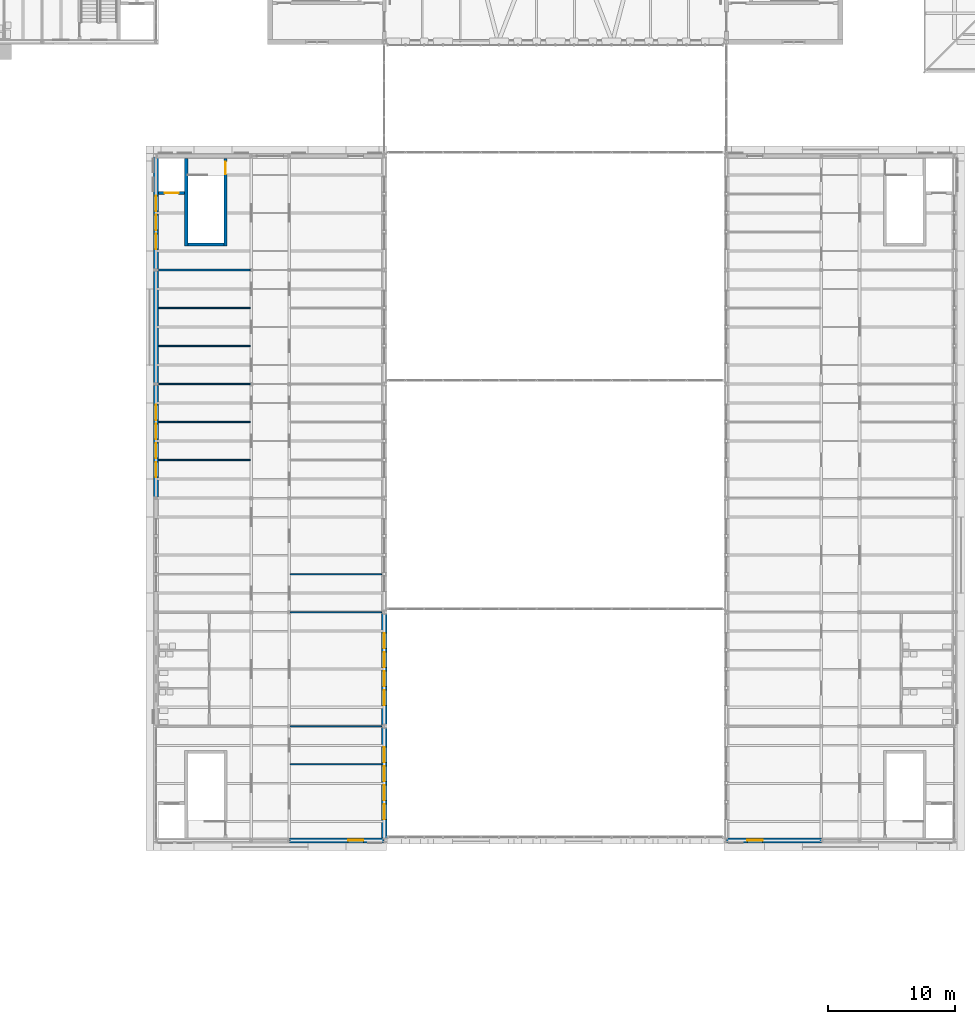
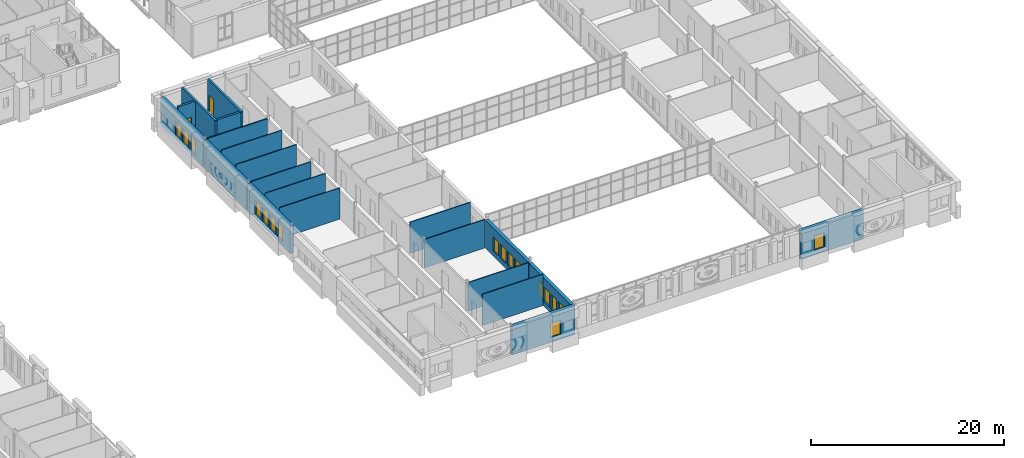
# One storey, part 104 of 154: 21 walls, 17 windows, 2 doors, 19 openings.
"""IFC4 building model written with IfcOpenShell, lengths in metres."""

from ifc_helpers import new_model, si_unit, direction, frame, frame_2d, origin, place, context, subcontext, project, spatial, rectangle, extrude, material, layer, layer_set, type_object, element, fill, save


model = new_model("IFC4")

# Units and contexts
model_context = context("Model", 3, precision=1e-05, world=origin(), true_north=direction((0.0, 1.0)))
body_context = subcontext(model_context, "Body", "Model", "MODEL_VIEW")
ifc_project = project(units=[si_unit("LENGTHUNIT", "METRE"), si_unit("AREAUNIT", "SQUARE_METRE"), si_unit("VOLUMEUNIT", "CUBIC_METRE"), si_unit("PLANEANGLEUNIT", "RADIAN"), si_unit("MASSUNIT", "GRAM", prefix="KILO")], contexts=[model_context])

# Site, building, storey
site_placement = place(None, origin())
site = spatial("IfcSite", under=ifc_project, at=site_placement, CompositionType="ELEMENT")
building_placement = place(site_placement, origin())
building = spatial("IfcBuilding", under=site, at=building_placement, Name="Golden Quay Civic Hall", CompositionType="ELEMENT")
storey_placement = place(building_placement, frame((0.0, 0.0, 14.39990234375)))
storey = spatial("IfcBuildingStorey", under=building, at=storey_placement, Name="L03", CompositionType="ELEMENT", Elevation=14.39990234375)

# Wall
ifc_material_1 = material(Name="Concrete C40/50", Category="concrete")
ifc_layer_1 = layer(ifc_material_1, 0.25)
ifc_layer_set_1 = layer_set([ifc_layer_1], Name="Concrete core wall 250, Concrete C40/50")
wall_type_1 = type_object("IfcWallType", Name="Concrete core wall 250", PredefinedType="SHEAR", material=ifc_layer_set_1)
wall_1_placement = place(storey_placement, frame((56.375, 46.89990234375, 0.0), z_axis=(0.0, 0.0, 1.0), x_axis=(0.0, 1.0, 0.0)))
element("IfcWall", 1, at=wall_1_placement, inside=storey, type_object=wall_type_1, Name="Core wall WM-N-W1", PredefinedType="SHEAR", context=body_context, shape_type="SweptSolid", body=[
    extrude(rectangle(XDim=6.900146484375, YDim=0.25, at=frame_2d((3.4501953125, 0.0))), origin(), (0.0, 0.0, 1.0), 3.9501953125),
])

# Wall, opening, door
wall_2_placement = place(storey_placement, frame((59.47509765625, 46.89990234375, 0.0), z_axis=(0.0, 0.0, 1.0), x_axis=(0.0, 1.0, 0.0)))
wall_2 = element("IfcWall", 2, at=wall_2_placement, inside=storey, type_object=wall_type_1, Name="Core wall WM-N-W2", PredefinedType="SHEAR", context=body_context, shape_type="SweptSolid", body=[
    extrude(rectangle(XDim=6.900146484375, YDim=0.25, at=frame_2d((3.4501953125, 0.0))), origin(), (0.0, 0.0, 1.0), 3.9501953125),
])
opening_1_placement = place(wall_2_placement, frame((5.64990234375, 0.0, 0.0)))
opening_1 = element("IfcOpeningElement", 3, at=opening_1_placement, cuts=wall_2, Name="Opening L03-D099", PredefinedType="OPENING", context=body_context, shape_type="SweptSolid", body=[
    extrude(rectangle(XDim=1.0, YDim=2.10009765625, at=frame_2d((0.5, 1.050048828125))), frame((0.0, 0.135009765625, 0.0), z_axis=(0.0, -1.0, 0.0), x_axis=(1.0, 0.0, 0.0)), (0.0, 0.0, 1.0), 0.27001953125),
])
ifc_material_2 = material(Name="Steel", Category="steel")
door_type_1 = type_object("IfcDoorType", Name="Steel fire door FD60 1000 x 2100", OperationType="SINGLE_SWING_LEFT", PredefinedType="DOOR", material=ifc_material_2)
door_1_placement = place(opening_1_placement, origin())
door_1 = element("IfcDoor", 4, at=door_1_placement, inside=storey, type_object=door_type_1, Name="Door L03-D099", OperationType="SINGLE_SWING_LEFT", OverallHeight=2.10009765625, OverallWidth=1.0, PredefinedType="DOOR", context=body_context, shape_type="SweptSolid", body=[
    extrude(rectangle(XDim=1.0, YDim=2.10009765625, at=frame_2d((0.5, 1.050048828125))), frame((0.0, 0.02490234375, 0.0), z_axis=(0.0, -1.0, 0.0), x_axis=(1.0, 0.0, 0.0)), (0.0, 0.0, 1.0), 0.050048828125),
])
fill(opening_1, door_1)

# Wall
wall_3_placement = place(storey_placement, frame((56.5, 47.02490234375, 0.0), z_axis=(0.0, 0.0, 1.0), x_axis=(1.0, 0.0, 0.0)))
element("IfcWall", 5, at=wall_3_placement, inside=storey, type_object=wall_type_1, Name="Core wall WM-N-W3", PredefinedType="SHEAR", context=body_context, shape_type="SweptSolid", body=[
    extrude(rectangle(XDim=2.85009765625, YDim=0.25, at=frame_2d((1.425048828125, 0.0))), origin(), (0.0, 0.0, 1.0), 3.9501953125),
])

# Wall, opening, door
wall_4_placement = place(storey_placement, frame((54.199951171875, 51.074951171875, 0.0), z_axis=(0.0, 0.0, 1.0), x_axis=(1.0, 0.0, 0.0)))
wall_4 = element("IfcWall", 6, at=wall_4_placement, inside=storey, type_object=wall_type_1, Name="Core wall WM-N-W4", PredefinedType="SHEAR", context=body_context, shape_type="SweptSolid", body=[
    extrude(rectangle(XDim=2.050048828125, YDim=0.25, at=frame_2d((1.02490234375, 0.0))), origin(), (0.0, 0.0, 1.0), 3.9501953125),
])
opening_2_placement = place(wall_4_placement, frame((0.47509765625, 0.0, 0.0)))
opening_2 = element("IfcOpeningElement", 7, at=opening_2_placement, cuts=wall_4, Name="Opening L03-D102", PredefinedType="OPENING", context=body_context, shape_type="SweptSolid", body=[
    extrude(rectangle(XDim=1.10009765625, YDim=2.10009765625, at=frame_2d((0.550048828125, 1.050048828125))), frame((0.0, 0.135009765625, 0.0), z_axis=(0.0, -1.0, 0.0), x_axis=(1.0, 0.0, 0.0)), (0.0, 0.0, 1.0), 0.27001953125),
])
ifc_material_3 = material(Name="Steel", Category="steel")
door_type_2 = type_object("IfcDoorType", Name="Lift landing door 1100 x 2100", OperationType="SLIDING_TO_LEFT", PredefinedType="DOOR", material=ifc_material_3)
door_2_placement = place(opening_2_placement, origin())
door_2 = element("IfcDoor", 8, at=door_2_placement, inside=storey, type_object=door_type_2, Name="Lift landing door L03-D102 WM-N", OperationType="SLIDING_TO_LEFT", OverallHeight=2.10009765625, OverallWidth=1.10009765625, PredefinedType="DOOR", context=body_context, shape_type="SweptSolid", body=[
    extrude(rectangle(XDim=1.10009765625, YDim=2.10009765625, at=frame_2d((0.550048828125, 1.050048828125))), frame((0.0, 0.02490234375, 0.0), z_axis=(0.0, -1.0, 0.0), x_axis=(1.0, 0.0, 0.0)), (0.0, 0.0, 1.0), 0.050048828125),
])
fill(opening_2, door_2)

# Walls
ifc_material_4 = material(Name="Plasterboard on steel studs", Category="steel")
ifc_layer_2 = layer(ifc_material_4, 0.10009765625)
ifc_layer_set_2 = layer_set([ifc_layer_2], Name="Partition 100 stud")
wall_type_2 = type_object("IfcWallType", Name="Partition 100 stud", PredefinedType="PARTITIONING", material=ifc_layer_set_2)
for number, where, z_axis, x_axis, name in (
    (9, (54.199951171875, 30.0, 0.0), (0.0, 0.0, 1.0), (1.0, 0.0, 0.0), "Partition L03-002"),
    (10, (54.199951171875, 33.0, 0.0), (0.0, 0.0, 1.0), (1.0, 0.0, 0.0), "Partition L03-003"),
):
    element("IfcWall", number, at=place(storey_placement, frame(where, z_axis=z_axis, x_axis=x_axis)), inside=storey, type_object=wall_type_2, Name=name, PredefinedType="PARTITIONING", context=body_context, shape_type="SweptSolid", body=[
        extrude(rectangle(XDim=7.22509765625, YDim=0.10009765625, at=frame_2d((3.612548828125, 0.0))), origin(), (0.0, 0.0, 1.0), 3.9501953125),
    ])
wall_5_placement = place(storey_placement, frame((54.199951171875, 36.0, 0.0), z_axis=(0.0, 0.0, 1.0), x_axis=(1.0, 0.0, 0.0)))
element("IfcWall", 11, at=wall_5_placement, inside=storey, type_object=wall_type_2, Name="Partition L03-004", PredefinedType="PARTITIONING", context=body_context, shape_type="SweptSolid", body=[
    extrude(rectangle(XDim=7.22509765625, YDim=0.10009765625, at=frame_2d((3.612548828125, 0.0))), origin(), (0.0, 0.0, 1.0), 3.60009765625),
])
for number, where, z_axis, x_axis, name in (
    (12, (54.199951171875, 39.0, 0.0), (0.0, 0.0, 1.0), (1.0, 0.0, 0.0), "Partition L03-005"),
    (13, (54.199951171875, 42.0, 0.0), (0.0, 0.0, 1.0), (1.0, 0.0, 0.0), "Partition L03-006"),
    (14, (64.574951171875, 6.0, 0.0), (0.0, 0.0, 1.0), (1.0, 0.0, 0.0), "Partition L03-008"),
):
    element("IfcWall", number, at=place(storey_placement, frame(where, z_axis=z_axis, x_axis=x_axis)), inside=storey, type_object=wall_type_2, Name=name, PredefinedType="PARTITIONING", context=body_context, shape_type="SweptSolid", body=[
        extrude(rectangle(XDim=7.22509765625, YDim=0.10009765625, at=frame_2d((3.612548828125, 0.0))), origin(), (0.0, 0.0, 1.0), 3.9501953125),
    ])
for number, where, z_axis, x_axis, name in (
    (15, (64.574951171875, 9.0, 0.0), (0.0, 0.0, 1.0), (1.0, 0.0, 0.0), "Partition L03-009"),
    (16, (64.574951171875, 18.0, 0.0), (0.0, 0.0, 1.0), (1.0, 0.0, 0.0), "Partition L03-010"),
):
    element("IfcWall", number, at=place(storey_placement, frame(where, z_axis=z_axis, x_axis=x_axis)), inside=storey, type_object=wall_type_2, Name=name, PredefinedType="PARTITIONING", context=body_context, shape_type="SweptSolid", body=[
        extrude(rectangle(XDim=7.22509765625, YDim=0.10009765625, at=frame_2d((3.612548828125, 0.0))), origin(), (0.0, 0.0, 1.0), 3.60009765625),
    ])
wall_6_placement = place(storey_placement, frame((64.574951171875, 21.0, 0.0), z_axis=(0.0, 0.0, 1.0), x_axis=(1.0, 0.0, 0.0)))
element("IfcWall", 17, at=wall_6_placement, inside=storey, type_object=wall_type_2, Name="Partition L03-011", PredefinedType="PARTITIONING", context=body_context, shape_type="SweptSolid", body=[
    extrude(rectangle(XDim=7.22509765625, YDim=0.10009765625, at=frame_2d((3.612548828125, 0.0))), origin(), (0.0, 0.0, 1.0), 3.9501953125),
])
ifc_material_5 = material(Name="Plasterboard on steel studs", Category="steel")
ifc_layer_3 = layer(ifc_material_5, 0.14990234375)
ifc_layer_set_3 = layer_set([ifc_layer_3], Name="Partition 150 stud fire EI 60")
wall_type_3 = type_object("IfcWallType", Name="Partition 150 stud fire EI 60", PredefinedType="PARTITIONING", material=ifc_layer_set_3)
wall_7_placement = place(storey_placement, frame((54.199951171875, 45.0, 0.0), z_axis=(0.0, 0.0, 1.0), x_axis=(1.0, 0.0, 0.0)))
element("IfcWall", 18, at=wall_7_placement, inside=storey, type_object=wall_type_3, Name="Partition L03-007", PredefinedType="PARTITIONING", context=body_context, shape_type="SweptSolid", body=[
    extrude(rectangle(XDim=7.22509765625, YDim=0.14990234375, at=frame_2d((3.612548828125, 0.0))), origin(), (0.0, 0.0, 1.0), 3.60009765625),
])

# Wall, openings, windows
ifc_material_6 = material(Name="Clay block, rendered, cream")
ifc_layer_4 = layer(ifc_material_6, 0.39990234375)
ifc_layer_set_4 = layer_set([ifc_layer_4], Name="Rendered block external wall 400")
wall_type_4 = type_object("IfcWallType", Name="Rendered block external wall 400", PredefinedType="STANDARD", material=ifc_layer_set_4)
wall_8_placement = place(storey_placement, frame((54.0, 27.094970703125, 0.0), z_axis=(0.0, 0.0, 1.0), x_axis=(0.0, 1.0, 0.0)))
wall_8 = element("IfcWall", 19, at=wall_8_placement, inside=storey, type_object=wall_type_4, Name="Rendered block external wall 400 L03 23", PredefinedType="STANDARD", context=body_context, shape_type="SweptSolid", body=[
    extrude(rectangle(XDim=8.81005859375, YDim=0.39990234375, at=frame_2d((4.405029296875, 0.0))), origin(), (0.0, 0.0, 1.0), 3.550048828125),
])
opening_3_placement = place(wall_8_placement, frame((1.554931640625, 0.0, 0.60009765625)))
opening_3 = element("IfcOpeningElement", 20, at=opening_3_placement, cuts=wall_8, Name="Opening WN10", PredefinedType="OPENING", context=body_context, shape_type="SweptSolid", body=[
    extrude(rectangle(XDim=1.199951171875, YDim=1.800048828125, at=frame_2d((0.60009765625, 0.89990234375))), frame((0.0, 0.2099609375, 0.0), z_axis=(0.0, -1.0, 0.0), x_axis=(1.0, 0.0, 0.0)), (0.0, 0.0, 1.0), 0.419921875),
])
opening_4_placement = place(wall_8_placement, frame((3.054931640625, 0.0, 0.60009765625)))
opening_4 = element("IfcOpeningElement", 21, at=opening_4_placement, cuts=wall_8, Name="Opening WN10", PredefinedType="OPENING", context=body_context, shape_type="SweptSolid", body=[
    extrude(rectangle(XDim=1.199951171875, YDim=1.800048828125, at=frame_2d((0.60009765625, 0.89990234375))), frame((0.0, 0.2099609375, 0.0), z_axis=(0.0, -1.0, 0.0), x_axis=(1.0, 0.0, 0.0)), (0.0, 0.0, 1.0), 0.419921875),
])
opening_5_placement = place(wall_8_placement, frame((4.554931640625, 0.0, 0.60009765625)))
opening_5 = element("IfcOpeningElement", 22, at=opening_5_placement, cuts=wall_8, Name="Opening WN10", PredefinedType="OPENING", context=body_context, shape_type="SweptSolid", body=[
    extrude(rectangle(XDim=1.199951171875, YDim=1.800048828125, at=frame_2d((0.60009765625, 0.89990234375))), frame((0.0, 0.2099609375, 0.0), z_axis=(0.0, -1.0, 0.0), x_axis=(1.0, 0.0, 0.0)), (0.0, 0.0, 1.0), 0.419921875),
])
opening_6_placement = place(wall_8_placement, frame((6.054931640625, 0.0, 0.60009765625)))
opening_6 = element("IfcOpeningElement", 23, at=opening_6_placement, cuts=wall_8, Name="Opening WN10", PredefinedType="OPENING", context=body_context, shape_type="SweptSolid", body=[
    extrude(rectangle(XDim=1.199951171875, YDim=1.800048828125, at=frame_2d((0.60009765625, 0.89990234375))), frame((0.0, 0.2099609375, 0.0), z_axis=(0.0, -1.0, 0.0), x_axis=(1.0, 0.0, 0.0)), (0.0, 0.0, 1.0), 0.419921875),
])
ifc_material_7 = material(Name="Aluminium frame, double glazed", Category="aluminium")
window_type = type_object("IfcWindowType", Name="Golden grid window 1200 x 1800", PartitioningType="SINGLE_PANEL", PredefinedType="WINDOW", material=ifc_material_7)
window_1_placement = place(opening_3_placement, origin())
window_1 = element("IfcWindow", 24, at=window_1_placement, inside=storey, type_object=window_type, Name="Golden grid window 1200 x 1800 L03 5", OverallHeight=1.800048828125, OverallWidth=1.199951171875, PartitioningType="SINGLE_PANEL", PredefinedType="WINDOW", context=body_context, shape_type="SweptSolid", body=[
    extrude(rectangle(XDim=1.199951171875, YDim=1.800048828125, at=frame_2d((0.60009765625, 0.89990234375))), frame((0.0, 0.030029296875, 0.0), z_axis=(0.0, -1.0, 0.0), x_axis=(1.0, 0.0, 0.0)), (0.0, 0.0, 1.0), 0.06005859375),
])
fill(opening_3, window_1)
window_2_placement = place(opening_4_placement, origin())
window_2 = element("IfcWindow", 25, at=window_2_placement, inside=storey, type_object=window_type, Name="Golden grid window 1200 x 1800 L03 6", OverallHeight=1.800048828125, OverallWidth=1.199951171875, PartitioningType="SINGLE_PANEL", PredefinedType="WINDOW", context=body_context, shape_type="SweptSolid", body=[
    extrude(rectangle(XDim=1.199951171875, YDim=1.800048828125, at=frame_2d((0.60009765625, 0.89990234375))), frame((0.0, 0.030029296875, 0.0), z_axis=(0.0, -1.0, 0.0), x_axis=(1.0, 0.0, 0.0)), (0.0, 0.0, 1.0), 0.06005859375),
])
fill(opening_4, window_2)
window_3_placement = place(opening_5_placement, origin())
window_3 = element("IfcWindow", 26, at=window_3_placement, inside=storey, type_object=window_type, Name="Golden grid window 1200 x 1800 L03 7", OverallHeight=1.800048828125, OverallWidth=1.199951171875, PartitioningType="SINGLE_PANEL", PredefinedType="WINDOW", context=body_context, shape_type="SweptSolid", body=[
    extrude(rectangle(XDim=1.199951171875, YDim=1.800048828125, at=frame_2d((0.60009765625, 0.89990234375))), frame((0.0, 0.030029296875, 0.0), z_axis=(0.0, -1.0, 0.0), x_axis=(1.0, 0.0, 0.0)), (0.0, 0.0, 1.0), 0.06005859375),
])
fill(opening_5, window_3)
window_4_placement = place(opening_6_placement, origin())
window_4 = element("IfcWindow", 27, at=window_4_placement, inside=storey, type_object=window_type, Name="Golden grid window 1200 x 1800 L03 8", OverallHeight=1.800048828125, OverallWidth=1.199951171875, PartitioningType="SINGLE_PANEL", PredefinedType="WINDOW", context=body_context, shape_type="SweptSolid", body=[
    extrude(rectangle(XDim=1.199951171875, YDim=1.800048828125, at=frame_2d((0.60009765625, 0.89990234375))), frame((0.0, 0.030029296875, 0.0), z_axis=(0.0, -1.0, 0.0), x_axis=(1.0, 0.0, 0.0)), (0.0, 0.0, 1.0), 0.06005859375),
])
fill(opening_6, window_4)

# Wall
wall_9_placement = place(storey_placement, frame((54.0, 36.094970703125, 0.0), z_axis=(0.0, 0.0, 1.0), x_axis=(0.0, 1.0, 0.0)))
element("IfcWall", 28, at=wall_9_placement, inside=storey, type_object=wall_type_4, Name="Rendered block external wall 400 L03 24", PredefinedType="STANDARD", context=body_context, shape_type="SweptSolid", body=[
    extrude(rectangle(XDim=8.81005859375, YDim=0.39990234375, at=frame_2d((4.405029296875, 0.0))), origin(), (0.0, 0.0, 1.0), 3.550048828125),
])

# Wall, openings, windows
wall_10_placement = place(storey_placement, frame((72.0, 8.905029296875, 0.0), z_axis=(0.0, 0.0, 1.0), x_axis=(0.0, -1.0, 0.0)))
wall_10 = element("IfcWall", 29, at=wall_10_placement, inside=storey, type_object=wall_type_4, Name="Rendered block external wall 400 L03 27", PredefinedType="STANDARD", context=body_context, shape_type="SweptSolid", body=[
    extrude(rectangle(XDim=8.81005859375, YDim=0.39990234375, at=frame_2d((4.405029296875, 0.0))), origin(), (0.0, 0.0, 1.0), 3.550048828125),
])
opening_7_placement = place(wall_10_placement, frame((6.054931640625, 0.0, 0.60009765625)))
opening_7 = element("IfcOpeningElement", 30, at=opening_7_placement, cuts=wall_10, Name="Opening WN10", PredefinedType="OPENING", context=body_context, shape_type="SweptSolid", body=[
    extrude(rectangle(XDim=1.199951171875, YDim=1.800048828125, at=frame_2d((0.60009765625, 0.89990234375))), frame((0.0, 0.2099609375, 0.0), z_axis=(0.0, -1.0, 0.0), x_axis=(1.0, 0.0, 0.0)), (0.0, 0.0, 1.0), 0.419921875),
])
opening_8_placement = place(wall_10_placement, frame((4.554931640625, 0.0, 0.60009765625)))
opening_8 = element("IfcOpeningElement", 31, at=opening_8_placement, cuts=wall_10, Name="Opening WN10", PredefinedType="OPENING", context=body_context, shape_type="SweptSolid", body=[
    extrude(rectangle(XDim=1.199951171875, YDim=1.800048828125, at=frame_2d((0.60009765625, 0.89990234375))), frame((0.0, 0.2099609375, 0.0), z_axis=(0.0, -1.0, 0.0), x_axis=(1.0, 0.0, 0.0)), (0.0, 0.0, 1.0), 0.419921875),
])
opening_9_placement = place(wall_10_placement, frame((3.054931640625, 0.0, 0.60009765625)))
opening_9 = element("IfcOpeningElement", 32, at=opening_9_placement, cuts=wall_10, Name="Opening WN10", PredefinedType="OPENING", context=body_context, shape_type="SweptSolid", body=[
    extrude(rectangle(XDim=1.199951171875, YDim=1.800048828125, at=frame_2d((0.60009765625, 0.89990234375))), frame((0.0, 0.2099609375, 0.0), z_axis=(0.0, -1.0, 0.0), x_axis=(1.0, 0.0, 0.0)), (0.0, 0.0, 1.0), 0.419921875),
])
opening_10_placement = place(wall_10_placement, frame((1.554931640625, 0.0, 0.60009765625)))
opening_10 = element("IfcOpeningElement", 33, at=opening_10_placement, cuts=wall_10, Name="Opening WN10", PredefinedType="OPENING", context=body_context, shape_type="SweptSolid", body=[
    extrude(rectangle(XDim=1.199951171875, YDim=1.800048828125, at=frame_2d((0.60009765625, 0.89990234375))), frame((0.0, 0.2099609375, 0.0), z_axis=(0.0, -1.0, 0.0), x_axis=(1.0, 0.0, 0.0)), (0.0, 0.0, 1.0), 0.419921875),
])
window_5_placement = place(opening_7_placement, origin())
window_5 = element("IfcWindow", 34, at=window_5_placement, inside=storey, type_object=window_type, Name="Golden grid window 1200 x 1800 L03 13", OverallHeight=1.800048828125, OverallWidth=1.199951171875, PartitioningType="SINGLE_PANEL", PredefinedType="WINDOW", context=body_context, shape_type="SweptSolid", body=[
    extrude(rectangle(XDim=1.199951171875, YDim=1.800048828125, at=frame_2d((0.60009765625, 0.89990234375))), frame((0.0, 0.030029296875, 0.0), z_axis=(0.0, -1.0, 0.0), x_axis=(1.0, 0.0, 0.0)), (0.0, 0.0, 1.0), 0.06005859375),
])
fill(opening_7, window_5)
window_6_placement = place(opening_8_placement, origin())
window_6 = element("IfcWindow", 35, at=window_6_placement, inside=storey, type_object=window_type, Name="Golden grid window 1200 x 1800 L03 14", OverallHeight=1.800048828125, OverallWidth=1.199951171875, PartitioningType="SINGLE_PANEL", PredefinedType="WINDOW", context=body_context, shape_type="SweptSolid", body=[
    extrude(rectangle(XDim=1.199951171875, YDim=1.800048828125, at=frame_2d((0.60009765625, 0.89990234375))), frame((0.0, 0.030029296875, 0.0), z_axis=(0.0, -1.0, 0.0), x_axis=(1.0, 0.0, 0.0)), (0.0, 0.0, 1.0), 0.06005859375),
])
fill(opening_8, window_6)
window_7_placement = place(opening_9_placement, origin())
window_7 = element("IfcWindow", 36, at=window_7_placement, inside=storey, type_object=window_type, Name="Golden grid window 1200 x 1800 L03 15", OverallHeight=1.800048828125, OverallWidth=1.199951171875, PartitioningType="SINGLE_PANEL", PredefinedType="WINDOW", context=body_context, shape_type="SweptSolid", body=[
    extrude(rectangle(XDim=1.199951171875, YDim=1.800048828125, at=frame_2d((0.60009765625, 0.89990234375))), frame((0.0, 0.030029296875, 0.0), z_axis=(0.0, -1.0, 0.0), x_axis=(1.0, 0.0, 0.0)), (0.0, 0.0, 1.0), 0.06005859375),
])
fill(opening_9, window_7)
window_8_placement = place(opening_10_placement, origin())
window_8 = element("IfcWindow", 37, at=window_8_placement, inside=storey, type_object=window_type, Name="Golden grid window 1200 x 1800 L03 16", OverallHeight=1.800048828125, OverallWidth=1.199951171875, PartitioningType="SINGLE_PANEL", PredefinedType="WINDOW", context=body_context, shape_type="SweptSolid", body=[
    extrude(rectangle(XDim=1.199951171875, YDim=1.800048828125, at=frame_2d((0.60009765625, 0.89990234375))), frame((0.0, 0.030029296875, 0.0), z_axis=(0.0, -1.0, 0.0), x_axis=(1.0, 0.0, 0.0)), (0.0, 0.0, 1.0), 0.06005859375),
])
fill(opening_10, window_8)

wall_11_placement = place(storey_placement, frame((72.0, 17.905029296875, 0.0), z_axis=(0.0, 0.0, 1.0), x_axis=(0.0, -1.0, 0.0)))
wall_11 = element("IfcWall", 38, at=wall_11_placement, inside=storey, type_object=wall_type_4, Name="Rendered block external wall 400 L03 28", PredefinedType="STANDARD", context=body_context, shape_type="SweptSolid", body=[
    extrude(rectangle(XDim=8.81005859375, YDim=0.39990234375, at=frame_2d((4.405029296875, 0.0))), origin(), (0.0, 0.0, 1.0), 3.550048828125),
])
opening_11_placement = place(wall_11_placement, frame((6.054931640625, 0.0, 0.60009765625)))
opening_11 = element("IfcOpeningElement", 39, at=opening_11_placement, cuts=wall_11, Name="Opening WN10", PredefinedType="OPENING", context=body_context, shape_type="SweptSolid", body=[
    extrude(rectangle(XDim=1.199951171875, YDim=1.800048828125, at=frame_2d((0.60009765625, 0.89990234375))), frame((0.0, 0.2099609375, 0.0), z_axis=(0.0, -1.0, 0.0), x_axis=(1.0, 0.0, 0.0)), (0.0, 0.0, 1.0), 0.419921875),
])
opening_12_placement = place(wall_11_placement, frame((4.554931640625, 0.0, 0.60009765625)))
opening_12 = element("IfcOpeningElement", 40, at=opening_12_placement, cuts=wall_11, Name="Opening WN10", PredefinedType="OPENING", context=body_context, shape_type="SweptSolid", body=[
    extrude(rectangle(XDim=1.199951171875, YDim=1.800048828125, at=frame_2d((0.60009765625, 0.89990234375))), frame((0.0, 0.2099609375, 0.0), z_axis=(0.0, -1.0, 0.0), x_axis=(1.0, 0.0, 0.0)), (0.0, 0.0, 1.0), 0.419921875),
])
opening_13_placement = place(wall_11_placement, frame((3.054931640625, 0.0, 0.60009765625)))
opening_13 = element("IfcOpeningElement", 41, at=opening_13_placement, cuts=wall_11, Name="Opening WN10", PredefinedType="OPENING", context=body_context, shape_type="SweptSolid", body=[
    extrude(rectangle(XDim=1.199951171875, YDim=1.800048828125, at=frame_2d((0.60009765625, 0.89990234375))), frame((0.0, 0.2099609375, 0.0), z_axis=(0.0, -1.0, 0.0), x_axis=(1.0, 0.0, 0.0)), (0.0, 0.0, 1.0), 0.419921875),
])
opening_14_placement = place(wall_11_placement, frame((1.554931640625, 0.0, 0.60009765625)))
opening_14 = element("IfcOpeningElement", 42, at=opening_14_placement, cuts=wall_11, Name="Opening WN10", PredefinedType="OPENING", context=body_context, shape_type="SweptSolid", body=[
    extrude(rectangle(XDim=1.199951171875, YDim=1.800048828125, at=frame_2d((0.60009765625, 0.89990234375))), frame((0.0, 0.2099609375, 0.0), z_axis=(0.0, -1.0, 0.0), x_axis=(1.0, 0.0, 0.0)), (0.0, 0.0, 1.0), 0.419921875),
])
window_9_placement = place(opening_11_placement, origin())
window_9 = element("IfcWindow", 43, at=window_9_placement, inside=storey, type_object=window_type, Name="Golden grid window 1200 x 1800 L03 17", OverallHeight=1.800048828125, OverallWidth=1.199951171875, PartitioningType="SINGLE_PANEL", PredefinedType="WINDOW", context=body_context, shape_type="SweptSolid", body=[
    extrude(rectangle(XDim=1.199951171875, YDim=1.800048828125, at=frame_2d((0.60009765625, 0.89990234375))), frame((0.0, 0.030029296875, 0.0), z_axis=(0.0, -1.0, 0.0), x_axis=(1.0, 0.0, 0.0)), (0.0, 0.0, 1.0), 0.06005859375),
])
fill(opening_11, window_9)
window_10_placement = place(opening_12_placement, origin())
window_10 = element("IfcWindow", 44, at=window_10_placement, inside=storey, type_object=window_type, Name="Golden grid window 1200 x 1800 L03 18", OverallHeight=1.800048828125, OverallWidth=1.199951171875, PartitioningType="SINGLE_PANEL", PredefinedType="WINDOW", context=body_context, shape_type="SweptSolid", body=[
    extrude(rectangle(XDim=1.199951171875, YDim=1.800048828125, at=frame_2d((0.60009765625, 0.89990234375))), frame((0.0, 0.030029296875, 0.0), z_axis=(0.0, -1.0, 0.0), x_axis=(1.0, 0.0, 0.0)), (0.0, 0.0, 1.0), 0.06005859375),
])
fill(opening_12, window_10)
window_11_placement = place(opening_13_placement, origin())
window_11 = element("IfcWindow", 45, at=window_11_placement, inside=storey, type_object=window_type, Name="Golden grid window 1200 x 1800 L03 19", OverallHeight=1.800048828125, OverallWidth=1.199951171875, PartitioningType="SINGLE_PANEL", PredefinedType="WINDOW", context=body_context, shape_type="SweptSolid", body=[
    extrude(rectangle(XDim=1.199951171875, YDim=1.800048828125, at=frame_2d((0.60009765625, 0.89990234375))), frame((0.0, 0.030029296875, 0.0), z_axis=(0.0, -1.0, 0.0), x_axis=(1.0, 0.0, 0.0)), (0.0, 0.0, 1.0), 0.06005859375),
])
fill(opening_13, window_11)
window_12_placement = place(opening_14_placement, origin())
window_12 = element("IfcWindow", 46, at=window_12_placement, inside=storey, type_object=window_type, Name="Golden grid window 1200 x 1800 L03 20", OverallHeight=1.800048828125, OverallWidth=1.199951171875, PartitioningType="SINGLE_PANEL", PredefinedType="WINDOW", context=body_context, shape_type="SweptSolid", body=[
    extrude(rectangle(XDim=1.199951171875, YDim=1.800048828125, at=frame_2d((0.60009765625, 0.89990234375))), frame((0.0, 0.030029296875, 0.0), z_axis=(0.0, -1.0, 0.0), x_axis=(1.0, 0.0, 0.0)), (0.0, 0.0, 1.0), 0.06005859375),
])
fill(opening_14, window_12)

# Wall, opening, window
wall_12_placement = place(storey_placement, frame((71.99169921875, 0.0, 0.0), z_axis=(0.0, 0.0, 1.0), x_axis=(-1.0, 0.0, 0.0)))
wall_12 = element("IfcWall", 47, at=wall_12_placement, inside=storey, type_object=wall_type_4, Name="Rendered block external wall 400 L03 34", PredefinedType="STANDARD", context=body_context, shape_type="SweptSolid", body=[
    extrude(rectangle(XDim=7.4833984375, YDim=0.39990234375, at=frame_2d((3.74169921875, 0.0))), origin(), (0.0, 0.0, 1.0), 3.6201171875),
])
opening_15_placement = place(wall_12_placement, frame((1.641845703125, 0.0, 0.60009765625)))
opening_15 = element("IfcOpeningElement", 48, at=opening_15_placement, cuts=wall_12, Name="Opening WN10", PredefinedType="OPENING", context=body_context, shape_type="SweptSolid", body=[
    extrude(rectangle(XDim=1.199951171875, YDim=1.800048828125, at=frame_2d((0.60009765625, 0.89990234375))), frame((0.0, 0.2099609375, 0.0), z_axis=(0.0, -1.0, 0.0), x_axis=(1.0, 0.0, 0.0)), (0.0, 0.0, 1.0), 0.419921875),
])
window_13_placement = place(opening_15_placement, origin())
window_13 = element("IfcWindow", 49, at=window_13_placement, inside=storey, type_object=window_type, Name="Golden grid window 1200 x 1800 L03 37", OverallHeight=1.800048828125, OverallWidth=1.199951171875, PartitioningType="SINGLE_PANEL", PredefinedType="WINDOW", context=body_context, shape_type="SweptSolid", body=[
    extrude(rectangle(XDim=1.199951171875, YDim=1.800048828125, at=frame_2d((0.60009765625, 0.89990234375))), frame((0.0, 0.030029296875, 0.0), z_axis=(0.0, -1.0, 0.0), x_axis=(1.0, 0.0, 0.0)), (0.0, 0.0, 1.0), 0.06005859375),
])
fill(opening_15, window_13)

wall_13_placement = place(storey_placement, frame((106.49169921875, 0.0, 0.0), z_axis=(0.0, 0.0, 1.0), x_axis=(-1.0, 0.0, 0.0)))
wall_13 = element("IfcWall", 50, at=wall_13_placement, inside=storey, type_object=wall_type_4, Name="Rendered block external wall 400 L03 47", PredefinedType="STANDARD", context=body_context, shape_type="SweptSolid", body=[
    extrude(rectangle(XDim=7.4833984375, YDim=0.39990234375, at=frame_2d((3.74169921875, 0.0))), origin(), (0.0, 0.0, 1.0), 3.6201171875),
])
opening_16_placement = place(wall_13_placement, frame((4.641845703125, 0.0, 0.60009765625)))
opening_16 = element("IfcOpeningElement", 51, at=opening_16_placement, cuts=wall_13, Name="Opening WN10", PredefinedType="OPENING", context=body_context, shape_type="SweptSolid", body=[
    extrude(rectangle(XDim=1.199951171875, YDim=1.800048828125, at=frame_2d((0.60009765625, 0.89990234375))), frame((0.0, 0.2099609375, 0.0), z_axis=(0.0, -1.0, 0.0), x_axis=(1.0, 0.0, 0.0)), (0.0, 0.0, 1.0), 0.419921875),
])
window_14_placement = place(opening_16_placement, origin())
window_14 = element("IfcWindow", 52, at=window_14_placement, inside=storey, type_object=window_type, Name="Golden grid window 1200 x 1800 L03 74", OverallHeight=1.800048828125, OverallWidth=1.199951171875, PartitioningType="SINGLE_PANEL", PredefinedType="WINDOW", context=body_context, shape_type="SweptSolid", body=[
    extrude(rectangle(XDim=1.199951171875, YDim=1.800048828125, at=frame_2d((0.60009765625, 0.89990234375))), frame((0.0, 0.030029296875, 0.0), z_axis=(0.0, -1.0, 0.0), x_axis=(1.0, 0.0, 0.0)), (0.0, 0.0, 1.0), 0.06005859375),
])
fill(opening_16, window_14)

# Wall, openings, windows
ifc_material_8 = material(Name="Clay block, rendered, cream")
ifc_layer_5 = layer(ifc_material_8, 0.39990234375)
ifc_layer_set_5 = layer_set([ifc_layer_5], Name="Rendered block external wall 400 fire EI 60")
wall_type_5 = type_object("IfcWallType", Name="Rendered block external wall 400 fire EI 60", PredefinedType="STANDARD", material=ifc_layer_set_5)
wall_14_placement = place(storey_placement, frame((54.0, 45.094970703125, 0.0), z_axis=(0.0, 0.0, 1.0), x_axis=(0.0, 1.0, 0.0)))
wall_14 = element("IfcWall", 53, at=wall_14_placement, inside=storey, type_object=wall_type_5, Name="Rendered block external wall 400 fire EI 60 L03 4", PredefinedType="STANDARD", context=body_context, shape_type="SweptSolid", body=[
    extrude(rectangle(XDim=8.81005859375, YDim=0.39990234375, at=frame_2d((4.405029296875, 0.0))), origin(), (0.0, 0.0, 1.0), 3.550048828125),
])
opening_17_placement = place(wall_14_placement, frame((1.554931640625, 0.0, 0.60009765625)))
opening_17 = element("IfcOpeningElement", 54, at=opening_17_placement, cuts=wall_14, Name="Opening WN10", PredefinedType="OPENING", context=body_context, shape_type="SweptSolid", body=[
    extrude(rectangle(XDim=1.199951171875, YDim=1.800048828125, at=frame_2d((0.60009765625, 0.89990234375))), frame((0.0, 0.2099609375, 0.0), z_axis=(0.0, -1.0, 0.0), x_axis=(1.0, 0.0, 0.0)), (0.0, 0.0, 1.0), 0.419921875),
])
opening_18_placement = place(wall_14_placement, frame((3.054931640625, 0.0, 0.60009765625)))
opening_18 = element("IfcOpeningElement", 55, at=opening_18_placement, cuts=wall_14, Name="Opening WN10", PredefinedType="OPENING", context=body_context, shape_type="SweptSolid", body=[
    extrude(rectangle(XDim=1.199951171875, YDim=1.800048828125, at=frame_2d((0.60009765625, 0.89990234375))), frame((0.0, 0.2099609375, 0.0), z_axis=(0.0, -1.0, 0.0), x_axis=(1.0, 0.0, 0.0)), (0.0, 0.0, 1.0), 0.419921875),
])
opening_19_placement = place(wall_14_placement, frame((4.554931640625, 0.0, 0.60009765625)))
opening_19 = element("IfcOpeningElement", 56, at=opening_19_placement, cuts=wall_14, Name="Opening WN10", PredefinedType="OPENING", context=body_context, shape_type="SweptSolid", body=[
    extrude(rectangle(XDim=1.199951171875, YDim=1.800048828125, at=frame_2d((0.60009765625, 0.89990234375))), frame((0.0, 0.2099609375, 0.0), z_axis=(0.0, -1.0, 0.0), x_axis=(1.0, 0.0, 0.0)), (0.0, 0.0, 1.0), 0.419921875),
])
window_15_placement = place(opening_17_placement, origin())
window_15 = element("IfcWindow", 57, at=window_15_placement, inside=storey, type_object=window_type, Name="Golden grid window 1200 x 1800 L03 9", OverallHeight=1.800048828125, OverallWidth=1.199951171875, PartitioningType="SINGLE_PANEL", PredefinedType="WINDOW", context=body_context, shape_type="SweptSolid", body=[
    extrude(rectangle(XDim=1.199951171875, YDim=1.800048828125, at=frame_2d((0.60009765625, 0.89990234375))), frame((0.0, 0.030029296875, 0.0), z_axis=(0.0, -1.0, 0.0), x_axis=(1.0, 0.0, 0.0)), (0.0, 0.0, 1.0), 0.06005859375),
])
fill(opening_17, window_15)
window_16_placement = place(opening_18_placement, origin())
window_16 = element("IfcWindow", 58, at=window_16_placement, inside=storey, type_object=window_type, Name="Golden grid window 1200 x 1800 L03 10", OverallHeight=1.800048828125, OverallWidth=1.199951171875, PartitioningType="SINGLE_PANEL", PredefinedType="WINDOW", context=body_context, shape_type="SweptSolid", body=[
    extrude(rectangle(XDim=1.199951171875, YDim=1.800048828125, at=frame_2d((0.60009765625, 0.89990234375))), frame((0.0, 0.030029296875, 0.0), z_axis=(0.0, -1.0, 0.0), x_axis=(1.0, 0.0, 0.0)), (0.0, 0.0, 1.0), 0.06005859375),
])
fill(opening_18, window_16)
window_17_placement = place(opening_19_placement, origin())
window_17 = element("IfcWindow", 59, at=window_17_placement, inside=storey, type_object=window_type, Name="Golden grid window 1200 x 1800 L03 11", OverallHeight=1.800048828125, OverallWidth=1.199951171875, PartitioningType="SINGLE_PANEL", PredefinedType="WINDOW", context=body_context, shape_type="SweptSolid", body=[
    extrude(rectangle(XDim=1.199951171875, YDim=1.800048828125, at=frame_2d((0.60009765625, 0.89990234375))), frame((0.0, 0.030029296875, 0.0), z_axis=(0.0, -1.0, 0.0), x_axis=(1.0, 0.0, 0.0)), (0.0, 0.0, 1.0), 0.06005859375),
])
fill(opening_19, window_17)

save(model, "model.ifc")
